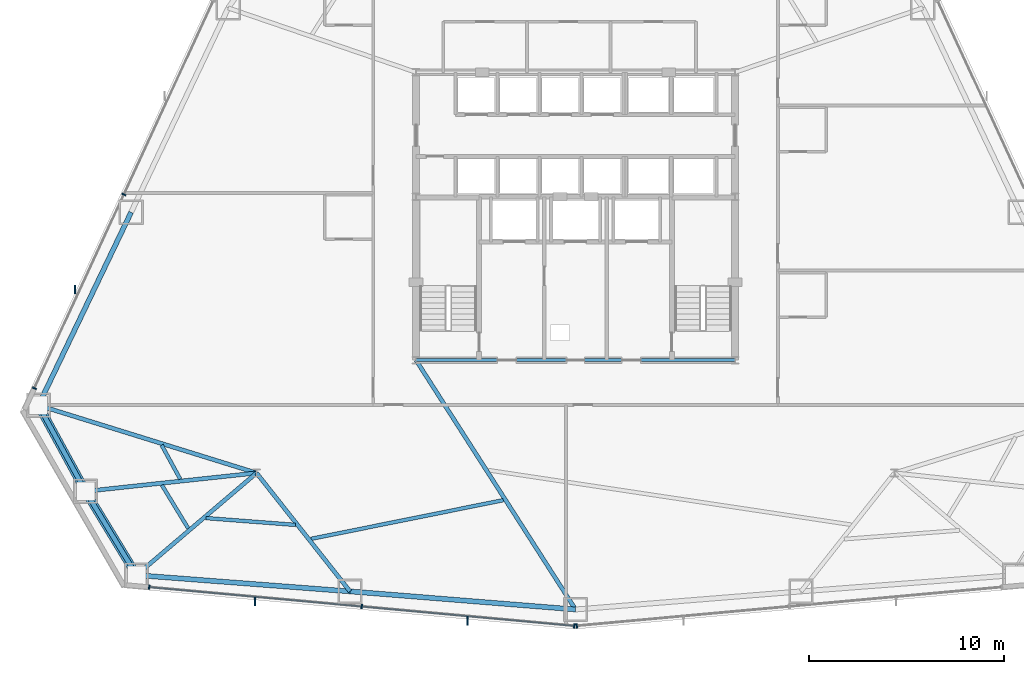
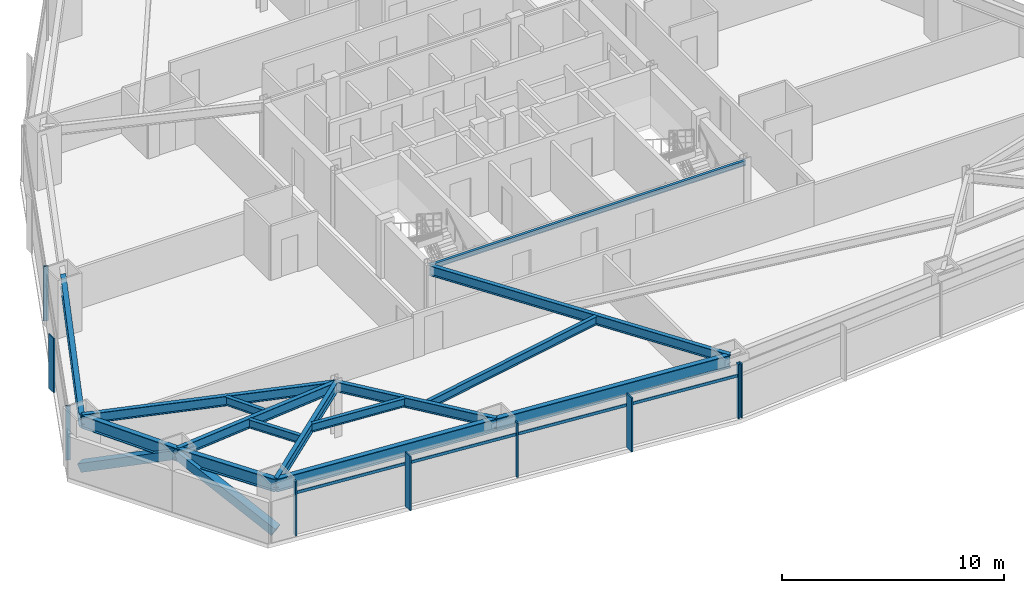
# One storey, part 4 of 12: 15 beams, 12 members, 3 elements without a shape of their own.
"""IFC4 building model written with IfcOpenShell, lengths in metres."""

from ifc_helpers import new_model, si_unit, direction, frame, origin, origin_2d, place, context, subcontext, project, spatial, rectangle, hollow_rectangle, i_section, extrude, source, transform, mapped, material, layer, layer_set, material_profile, profile_set, type_object, type_shapes, element, aggregate, save


model = new_model("IFC4")

# Units and contexts
model_context = context("Model", 3, precision=1e-05, world=origin(), true_north=direction((0.0, 1.0)))
body_context = subcontext(model_context, "Body", "Model", "MODEL_VIEW")
ifc_project = project(units=[si_unit("LENGTHUNIT", "METRE"), si_unit("AREAUNIT", "SQUARE_METRE"), si_unit("VOLUMEUNIT", "CUBIC_METRE"), si_unit("PLANEANGLEUNIT", "RADIAN"), si_unit("MASSUNIT", "GRAM", prefix="KILO")], contexts=[model_context])

# Site, building, storey
site_placement = place(None, origin())
site = spatial("IfcSite", under=ifc_project, at=site_placement, CompositionType="ELEMENT")
building_placement = place(site_placement, origin())
building = spatial("IfcBuilding", under=site, at=building_placement, Name="Varakhsha Concourse Tower", CompositionType="ELEMENT")
storey_placement = place(building_placement, frame((0.0, 0.0, 40.0)))
storey = spatial("IfcBuildingStorey", under=building, at=storey_placement, Name="L10", CompositionType="ELEMENT", Elevation=40.0)

# Beams
ifc_material_1 = material(Name="Structural Steel ASTM A992 Grade 50", Category="steel")
ifc_material_profile_1 = material_profile(ifc_material_1, i_section(OverallWidth=0.19091796875, OverallDepth=0.45703125, WebThickness=0.009033203125, FlangeThickness=0.013916015625, at=origin_2d()), Name="W18X50")
ifc_profile_set_1 = profile_set([ifc_material_profile_1], Name="Structural Steel ASTM A992 Grade 50")
beam_type_1 = type_object("IfcBeamType", Name="BM-JST-W18X50", PredefinedType="JOIST", material=ifc_profile_set_1)
beam_1_placement = place(storey_placement, frame((18.72021484375, 12.03466796875, 2.75146484375), z_axis=(0.479699205935, -0.877433001332, 0.0), x_axis=(0.877433001332, 0.479699205935, 0.0)))
element("IfcBeam", 1, at=beam_1_placement, inside=storey, type_object=beam_type_1, Name="BM-TJST-L10-07", PredefinedType="JOIST", context=body_context, shape_type="SweptSolid", body=[
    extrude(i_section(OverallWidth=0.19091796875, OverallDepth=0.45703125, WebThickness=0.009033203125, FlangeThickness=0.013916015625, at=origin_2d()), origin(), (0.0, 0.0, 1.0), 1.99853515625),
])
beam_2_placement = place(storey_placement, frame((18.73388671875, 9.977294921875, 2.75146484375), z_axis=(0.520000486842, -0.854165963782, 0.0), x_axis=(0.854165963782, 0.520000486842, 0.0)))
element("IfcBeam", 2, at=beam_2_placement, inside=storey, type_object=beam_type_1, Name="BM-TJST-L10-08", PredefinedType="JOIST", context=body_context, shape_type="SweptSolid", body=[
    extrude(i_section(OverallWidth=0.19091796875, OverallDepth=0.45703125, WebThickness=0.009033203125, FlangeThickness=0.013916015625, at=origin_2d()), origin(), (0.0, 0.0, 1.0), 2.603759765625),
])
beam_3_placement = place(storey_placement, frame((20.9951171875, 8.281005859375, 2.75146484375), z_axis=(0.997104898325, -0.076038291245, 0.0), x_axis=(0.076038291245, 0.997104898325, 0.0)))
element("IfcBeam", 3, at=beam_3_placement, inside=storey, type_object=beam_type_1, Name="BM-TJST-L10-09", PredefinedType="JOIST", context=body_context, shape_type="SweptSolid", body=[
    extrude(i_section(OverallWidth=0.19091796875, OverallDepth=0.45703125, WebThickness=0.009033203125, FlangeThickness=0.013916015625, at=origin_2d()), origin(), (0.0, 0.0, 1.0), 4.62353515625),
])
beam_4_placement = place(storey_placement, frame((26.399658203125, 7.212158203125, 2.75146484375), z_axis=(0.980358396777, 0.19722427302, 0.0), x_axis=(-0.19722427302, 0.980358396777, 0.0)))
element("IfcBeam", 4, at=beam_4_placement, inside=storey, type_object=beam_type_1, Name="BM-TJST-L10-10", PredefinedType="JOIST", context=body_context, shape_type="SweptSolid", body=[
    extrude(i_section(OverallWidth=0.19091796875, OverallDepth=0.45703125, WebThickness=0.009033203125, FlangeThickness=0.013916015625, at=origin_2d()), origin(), (0.0, 0.0, 1.0), 10.08251953125),
])
ifc_material_profile_2 = material_profile(ifc_material_1, i_section(OverallWidth=0.14697265625, OverallDepth=0.261962890625, WebThickness=0.007080078125, FlangeThickness=0.010986328125, at=origin_2d()), Name="W10X26")
ifc_profile_set_2 = profile_set([ifc_material_profile_2], Name="Structural Steel ASTM A992 Grade 50")
beam_type_2 = type_object("IfcBeamType", Name="BM-LNTL-W10X26", PredefinedType="LINTEL", material=ifc_profile_set_2)
beam_5_placement = place(storey_placement, frame((31.800048828125, 16.39990234375, 2.84912109375), z_axis=(1.0, 0.0, 0.0), x_axis=(0.0, 1.0, 0.0)))
element("IfcBeam", 5, at=beam_5_placement, inside=storey, type_object=beam_type_2, Name="BM-TCORE-L10-CS", PredefinedType="LINTEL", context=body_context, shape_type="SweptSolid", body=[
    extrude(i_section(OverallWidth=0.14697265625, OverallDepth=0.261962890625, WebThickness=0.007080078125, FlangeThickness=0.010986328125, at=origin_2d()), origin(), (0.0, 0.0, 1.0), 16.39990234375),
])
ifc_material_profile_3 = material_profile(ifc_material_1, i_section(OverallWidth=0.2109375, OverallDepth=0.5390625, WebThickness=0.011962890625, FlangeThickness=0.01904296875, at=origin_2d()), Name="W21X73")
ifc_profile_set_3 = profile_set([ifc_material_profile_3], Name="Structural Steel ASTM A992 Grade 50")
beam_type_3 = type_object("IfcBeamType", Name="BM-RAD-W21X73", PredefinedType="BEAM", material=ifc_profile_set_3)
beam_6_placement = place(storey_placement, frame((23.60009765625, 10.60009765625, 2.71044921875), z_axis=(-0.955056624601, 0.2964234198, 0.0), x_axis=(-0.2964234198, -0.955056624601, 0.0)))
element("IfcBeam", 6, at=beam_6_placement, inside=storey, type_object=beam_type_3, Name="L10 Radial Floor Girder 07", PredefinedType="BEAM", context=body_context, shape_type="SweptSolid", body=[
    extrude(i_section(OverallWidth=0.2109375, OverallDepth=0.5390625, WebThickness=0.011962890625, FlangeThickness=0.01904296875, at=origin_2d()), origin(), (0.0, 0.0, 1.0), 11.73828125),
])
beam_7_placement = place(storey_placement, frame((23.60009765625, 10.60009765625, 2.71044921875), z_axis=(-0.994280497061, -0.106800248893, 0.0), x_axis=(0.106800248893, -0.994280497061, 0.0)))
element("IfcBeam", 7, at=beam_7_placement, inside=storey, type_object=beam_type_3, Name="L10 Radial Floor Girder 08", PredefinedType="BEAM", context=body_context, shape_type="SweptSolid", body=[
    extrude(i_section(OverallWidth=0.2109375, OverallDepth=0.5390625, WebThickness=0.011962890625, FlangeThickness=0.01904296875, at=origin_2d()), origin(), (0.0, 0.0, 1.0), 8.842041015625),
])
beam_8_placement = place(storey_placement, frame((23.60009765625, 10.60009765625, 2.71044921875), z_axis=(-0.761498250571, -0.648166964892, 0.0), x_axis=(0.648166964892, -0.761498250571, 0.0)))
element("IfcBeam", 8, at=beam_8_placement, inside=storey, type_object=beam_type_3, Name="L10 Radial Floor Girder 09", PredefinedType="BEAM", context=body_context, shape_type="SweptSolid", body=[
    extrude(i_section(OverallWidth=0.2109375, OverallDepth=0.5390625, WebThickness=0.011962890625, FlangeThickness=0.01904296875, at=origin_2d()), origin(), (0.0, 0.0, 1.0), 8.10205078125),
])
beam_9_placement = place(storey_placement, frame((23.60009765625, 10.60009765625, 2.71044921875), z_axis=(0.619646329508, -0.78488115427, 0.0), x_axis=(0.78488115427, 0.619646329508, 0.0)))
element("IfcBeam", 9, at=beam_9_placement, inside=storey, type_object=beam_type_3, Name="L10 Radial Floor Girder 10", PredefinedType="BEAM", context=body_context, shape_type="SweptSolid", body=[
    extrude(i_section(OverallWidth=0.2109375, OverallDepth=0.5390625, WebThickness=0.011962890625, FlangeThickness=0.01904296875, at=origin_2d()), origin(), (0.0, 0.0, 1.0), 7.757080078125),
])
beam_10_placement = place(storey_placement, frame((31.800048828125, 16.39990234375, 2.71044921875), z_axis=(0.538905712871, -0.842366091812, 0.0), x_axis=(0.842366091812, 0.538905712871, 0.0)))
element("IfcBeam", 10, at=beam_10_placement, inside=storey, type_object=beam_type_3, Name="L10 Radial Floor Girder 11", PredefinedType="BEAM", context=body_context, shape_type="SweptSolid", body=[
    extrude(i_section(OverallWidth=0.2109375, OverallDepth=0.5390625, WebThickness=0.011962890625, FlangeThickness=0.01904296875, at=origin_2d()), origin(), (0.0, 0.0, 1.0), 15.2158203125),
])
ifc_material_profile_4 = material_profile(ifc_material_1, i_section(OverallWidth=0.25390625, OverallDepth=0.701904296875, WebThickness=0.014892578125, FlangeThickness=0.028076171875, at=origin_2d()), Name="W27X129")
ifc_profile_set_4 = profile_set([ifc_material_profile_4], Name="Structural Steel ASTM A992 Grade 50")
beam_type_4 = type_object("IfcBeamType", Name="BM-SPAN-W27X129", PredefinedType="SPANDREL", material=ifc_profile_set_4)
beam_11_placement = place(storey_placement, frame((17.15283203125, 24.004150390625, 2.62890625), z_axis=(-0.432704390999, -0.901535861744, 0.0), x_axis=(0.901535861744, -0.432704390999, 0.0)))
element("IfcBeam", 11, at=beam_11_placement, inside=storey, type_object=beam_type_4, Name="BM-SPAN-L10-06", PredefinedType="SPANDREL", context=body_context, shape_type="SweptSolid", body=[
    extrude(i_section(OverallWidth=0.25390625, OverallDepth=0.701904296875, WebThickness=0.014892578125, FlangeThickness=0.028076171875, at=origin_2d()), origin(), (0.0, 0.0, 1.0), 11.008544921875),
])
beam_12_placement = place(storey_placement, frame((12.389404296875, 14.07958984375, 2.62890625), z_axis=(0.479798364466, -0.87737878334, 0.0), x_axis=(0.87737878334, 0.479798364466, 0.0)))
element("IfcBeam", 12, at=beam_12_placement, inside=storey, type_object=beam_type_4, Name="BM-SPAN-L10-07", PredefinedType="SPANDREL", context=body_context, shape_type="SweptSolid", body=[
    extrude(i_section(OverallWidth=0.25390625, OverallDepth=0.701904296875, WebThickness=0.014892578125, FlangeThickness=0.028076171875, at=origin_2d()), origin(), (0.0, 0.0, 1.0), 5.0419921875),
])
beam_13_placement = place(storey_placement, frame((14.80859375, 9.65576171875, 2.62890625), z_axis=(0.519960770998, -0.85419014079, 0.0), x_axis=(0.85419014079, 0.519960770998, 0.0)))
element("IfcBeam", 13, at=beam_13_placement, inside=storey, type_object=beam_type_4, Name="BM-SPAN-L10-08", PredefinedType="SPANDREL", context=body_context, shape_type="SweptSolid", body=[
    extrude(i_section(OverallWidth=0.25390625, OverallDepth=0.701904296875, WebThickness=0.014892578125, FlangeThickness=0.028076171875, at=origin_2d()), origin(), (0.0, 0.0, 1.0), 5.042236328125),
])
beam_14_placement = place(storey_placement, frame((17.430419921875, 5.3486328125, 2.62890625), z_axis=(0.997105791948, -0.076026572094, 0.0), x_axis=(0.076026572094, 0.997105791948, 0.0)))
element("IfcBeam", 14, at=beam_14_placement, inside=storey, type_object=beam_type_4, Name="BM-SPAN-L10-09", PredefinedType="SPANDREL", context=body_context, shape_type="SweptSolid", body=[
    extrude(i_section(OverallWidth=0.25390625, OverallDepth=0.701904296875, WebThickness=0.014892578125, FlangeThickness=0.028076171875, at=origin_2d()), origin(), (0.0, 0.0, 1.0), 11.008056640625),
])
beam_15_placement = place(storey_placement, frame((28.40673828125, 4.51171875, 2.62890625), z_axis=(0.996803386739, -0.079893730572, 0.0), x_axis=(0.079893730572, 0.996803386739, 0.0)))
element("IfcBeam", 15, at=beam_15_placement, inside=storey, type_object=beam_type_4, Name="BM-SPAN-L10-10", PredefinedType="SPANDREL", context=body_context, shape_type="SweptSolid", body=[
    extrude(i_section(OverallWidth=0.25390625, OverallDepth=0.701904296875, WebThickness=0.014892578125, FlangeThickness=0.028076171875, at=origin_2d()), origin(), (0.0, 0.0, 1.0), 11.63037109375),
])

# Members
ifc_material_2 = material(Name="Structural Steel ASTM A500 Grade C", Category="steel")
ifc_material_profile_5 = material_profile(ifc_material_2, hollow_rectangle(XDim=0.449951171875, YDim=0.449951171875, WallThickness=0.01904296875, at=origin_2d()), Name="HSS 450x450x19")
ifc_profile_set_5 = profile_set([ifc_material_profile_5], Name="Structural Steel ASTM A500 Grade C")
member_type_1 = type_object("IfcMemberType", Name="MB-TUBE-HSS450", PredefinedType="BRACE", material=ifc_profile_set_5)
shared_shape_1 = source(origin(), body_context, "Body", "SweptSolid", [
    extrude(hollow_rectangle(XDim=0.449951171875, YDim=0.449951171875, WallThickness=0.01904296875, at=origin_2d()), origin(), (0.0, 0.0, 1.0), 5.65478515625),
])
member_1_placement = place(storey_placement, frame((12.389404296875, 14.07958984375, 0.1201171875), z_axis=(0.427820906288, -0.782330691487, 0.452689696481), x_axis=(0.87737878334, 0.479798364466, 0.0)))
element("IfcMember", 16, at=member_1_placement, inside=storey, type_object=member_type_1, Name="L10 Wind-Corner Tube Brace B03", PredefinedType="BRACE", context=body_context, shape_type="MappedRepresentation", body=[
    mapped(shared_shape_1, transform((0.0, 0.0, 0.0), scale=1.0)),
])
shared_shape_2 = source(origin(), body_context, "Body", "SweptSolid", [
    extrude(hollow_rectangle(XDim=0.449951171875, YDim=0.449951171875, WallThickness=0.01904296875, at=origin_2d()), origin(), (0.0, 0.0, 1.0), 5.655029296875),
])
type_shapes(member_type_1, [shared_shape_1, shared_shape_2])
member_2_placement = place(storey_placement, frame((17.430419921875, 5.3486328125, 0.1201171875), z_axis=(-0.463637300017, 0.761662095809, 0.452671299998), x_axis=(-0.85419014079, -0.519960770998, 0.0)))
element("IfcMember", 17, at=member_2_placement, inside=storey, type_object=member_type_1, Name="L10 Wind-Corner Tube Brace B04", PredefinedType="BRACE", context=body_context, shape_type="MappedRepresentation", body=[
    mapped(shared_shape_2, transform((0.0, 0.0, 0.0), scale=1.0)),
])

# Curtain wall, members
ifc_material_3 = material(Name="Anodised Bronze Architectural Aluminium AA 6063-T6", Category="aluminium")
ifc_layer = layer(ifc_material_3, 0.219970703125, Name="CW-SYS-02")
ifc_layer_set = layer_set([ifc_layer], Name="Anodised Bronze Architectural Aluminium AA 6063-T6")
curtain_wall_type = type_object("IfcCurtainWallType", Name="CW-SYS-02", PredefinedType="NOTDEFINED", material=ifc_layer_set)
curtain_wall_1_placement = place(storey_placement, origin())
curtain_wall_1 = element("IfcCurtainWall", 18, at=curtain_wall_1_placement, inside=storey, type_object=curtain_wall_type, Name="L10 Crystal Curtain Wall F3", PredefinedType="NOTDEFINED")
ifc_material_profile_6 = material_profile(ifc_material_3, rectangle(XDim=0.074951171875, YDim=0.219970703125, at=origin_2d()), Name="CWM-220X75")
ifc_profile_set_6 = profile_set([ifc_material_profile_6], Name="Anodised Bronze Architectural Aluminium AA 6063-T6")
member_type_2 = type_object("IfcMemberType", Name="CWM-220X75", PredefinedType="MULLION", material=ifc_profile_set_6)
shared_shape_3 = source(origin(), body_context, "Body", "SweptSolid", [
    extrude(rectangle(XDim=0.074951171875, YDim=0.219970703125, at=origin_2d()), origin(), (0.0, 0.0, 1.0), 2.97998046875),
])
type_shapes(member_type_2, [shared_shape_3])
member_3_placement = place(storey_placement, frame((12.179931640625, 14.953369140625, 0.0), z_axis=(0.0, 0.0, 1.0), x_axis=(0.419269871381, 0.907861649676, 0.0)))
member_3 = element("IfcMember", 19, at=member_3_placement, type_object=member_type_2, Name="CW-L10-F3 Mullion 00", PredefinedType="MULLION", context=body_context, shape_type="MappedRepresentation", body=[
    mapped(shared_shape_3, transform((0.0, 0.0, 0.0), scale=1.0)),
])
member_4_placement = place(storey_placement, frame((16.780029296875, 24.914306640625, 0.0), z_axis=(0.0, 0.0, 1.0), x_axis=(0.419269871381, 0.907861649676, 0.0)))
member_4 = element("IfcMember", 20, at=member_4_placement, type_object=member_type_2, Name="CW-L10-F3 Mullion 01", PredefinedType="MULLION", context=body_context, shape_type="MappedRepresentation", body=[
    mapped(shared_shape_3, transform((0.0, 0.0, 0.0), scale=1.0)),
])

curtain_wall_2_placement = place(storey_placement, origin())
curtain_wall_2 = element("IfcCurtainWall", 21, at=curtain_wall_2_placement, inside=storey, type_object=curtain_wall_type, Name="L10 Crystal Curtain Wall F5", PredefinedType="NOTDEFINED")
member_5_placement = place(storey_placement, frame((39.934814453125, 2.7373046875, 0.0), z_axis=(0.0, 0.0, 1.0), x_axis=(-0.995866028897, 0.090834203295, 0.0)))
member_5 = element("IfcMember", 22, at=member_5_placement, type_object=member_type_2, Name="CW-L10-F5 Mullion 00", PredefinedType="MULLION", context=body_context, shape_type="MappedRepresentation", body=[
    mapped(shared_shape_3, transform((0.0, 0.0, 0.0), scale=1.0)),
])
member_6_placement = place(storey_placement, frame((29.008544921875, 3.73388671875, 0.0), z_axis=(0.0, 0.0, 1.0), x_axis=(-0.995866028897, 0.090834203295, 0.0)))
member_6 = element("IfcMember", 23, at=member_6_placement, type_object=member_type_2, Name="CW-L10-F5 Mullion 01", PredefinedType="MULLION", context=body_context, shape_type="MappedRepresentation", body=[
    mapped(shared_shape_3, transform((0.0, 0.0, 0.0), scale=1.0)),
])
member_7_placement = place(storey_placement, frame((18.082275390625, 4.73046875, 0.0), z_axis=(0.0, 0.0, 1.0), x_axis=(-0.995866028897, 0.090834203295, 0.0)))
member_7 = element("IfcMember", 24, at=member_7_placement, type_object=member_type_2, Name="CW-L10-F5 Mullion 02", PredefinedType="MULLION", context=body_context, shape_type="MappedRepresentation", body=[
    mapped(shared_shape_3, transform((0.0, 0.0, 0.0), scale=1.0)),
])

# Curtain wall, member
curtain_wall_3_placement = place(storey_placement, origin())
curtain_wall_3 = element("IfcCurtainWall", 25, at=curtain_wall_3_placement, inside=storey, type_object=curtain_wall_type, Name="L10 Crystal Curtain Wall F6", PredefinedType="NOTDEFINED")
member_8_placement = place(storey_placement, frame((40.065185546875, 2.7373046875, 0.0), z_axis=(0.0, 0.0, 1.0), x_axis=(-0.995866028897, -0.090834203295, 0.0)))
member_8 = element("IfcMember", 26, at=member_8_placement, type_object=member_type_2, Name="CW-L10-F6 Mullion 02", PredefinedType="MULLION", context=body_context, shape_type="MappedRepresentation", body=[
    mapped(shared_shape_3, transform((0.0, 0.0, 0.0), scale=1.0)),
])
aggregate(curtain_wall_3, [member_8])

# Member
ifc_material_profile_7 = material_profile(ifc_material_3, rectangle(XDim=0.06494140625, YDim=0.449951171875, at=origin_2d()), Name="FIN-BRZ-450")
ifc_profile_set_7 = profile_set([ifc_material_profile_7], Name="Anodised Bronze Architectural Aluminium AA 6063-T6")
member_type_3 = type_object("IfcMemberType", Name="FIN-BRZ-450", PredefinedType="USERDEFINED", material=ifc_profile_set_7)
shared_shape_4 = source(origin(), body_context, "Body", "SweptSolid", [
    extrude(rectangle(XDim=0.06494140625, YDim=0.449951171875, at=origin_2d()), origin(), (0.0, 0.0, 1.0), 2.97998046875),
])
type_shapes(member_type_3, [shared_shape_4])
member_9_placement = place(storey_placement, frame((14.26220703125, 20.034423828125, 0.0), z_axis=(0.0, 0.0, 1.0), x_axis=(1.0, 0.0, 0.0)))
member_9 = element("IfcMember", 27, at=member_9_placement, type_object=member_type_3, Name="L10 Anodised Bronze Solar Fin F3-1", ObjectType="SOLAR FIN", PredefinedType="USERDEFINED", context=body_context, shape_type="MappedRepresentation", body=[
    mapped(shared_shape_4, transform((0.0, 0.0, 0.0), scale=1.0)),
])

aggregate(curtain_wall_1, [member_3, member_4, member_9])

member_10_placement = place(storey_placement, frame((34.449951171875, 2.99658203125, 0.0), z_axis=(0.0, 0.0, 1.0), x_axis=(1.0, 0.0, 0.0)))
member_10 = element("IfcMember", 28, at=member_10_placement, type_object=member_type_3, Name="L10 Anodised Bronze Solar Fin F5-1", ObjectType="SOLAR FIN", PredefinedType="USERDEFINED", context=body_context, shape_type="MappedRepresentation", body=[
    mapped(shared_shape_4, transform((0.0, 0.0, 0.0), scale=1.0)),
])

member_11_placement = place(storey_placement, frame((23.523681640625, 3.9931640625, 0.0), z_axis=(0.0, 0.0, 1.0), x_axis=(1.0, 0.0, 0.0)))
member_11 = element("IfcMember", 29, at=member_11_placement, type_object=member_type_3, Name="L10 Anodised Bronze Solar Fin F5-2", ObjectType="SOLAR FIN", PredefinedType="USERDEFINED", context=body_context, shape_type="MappedRepresentation", body=[
    mapped(shared_shape_4, transform((0.0, 0.0, 0.0), scale=1.0)),
])

ifc_material_profile_8 = material_profile(ifc_material_3, rectangle(XDim=0.06494140625, YDim=0.159912109375, at=origin_2d()), Name="CWT-160X65")
ifc_profile_set_8 = profile_set([ifc_material_profile_8], Name="Anodised Bronze Architectural Aluminium AA 6063-T6")
member_type_4 = type_object("IfcMemberType", Name="CWT-160X65", PredefinedType="USERDEFINED", material=ifc_profile_set_8)
shared_shape_5 = source(origin(), body_context, "Body", "SweptSolid", [
    extrude(rectangle(XDim=0.06494140625, YDim=0.159912109375, at=origin_2d()), origin(), (0.0, 0.0, 1.0), 21.943359375),
])
type_shapes(member_type_4, [shared_shape_5])
member_12_placement = place(storey_placement, frame((39.934814453125, 2.7373046875, 2.330078125), z_axis=(-0.995866167966, 0.09083267859, 0.0), x_axis=(-0.09083267859, -0.995866167966, 0.0)))
member_12 = element("IfcMember", 30, at=member_12_placement, type_object=member_type_4, Name="CW-L10-F5 Transom 01", ObjectType="TRANSOM", PredefinedType="USERDEFINED", context=body_context, shape_type="MappedRepresentation", body=[
    mapped(shared_shape_5, transform((0.0, 0.0, 0.0), scale=1.0)),
])

aggregate(curtain_wall_2, [member_5, member_6, member_7, member_12, member_10, member_11])

save(model, "model.ifc")
